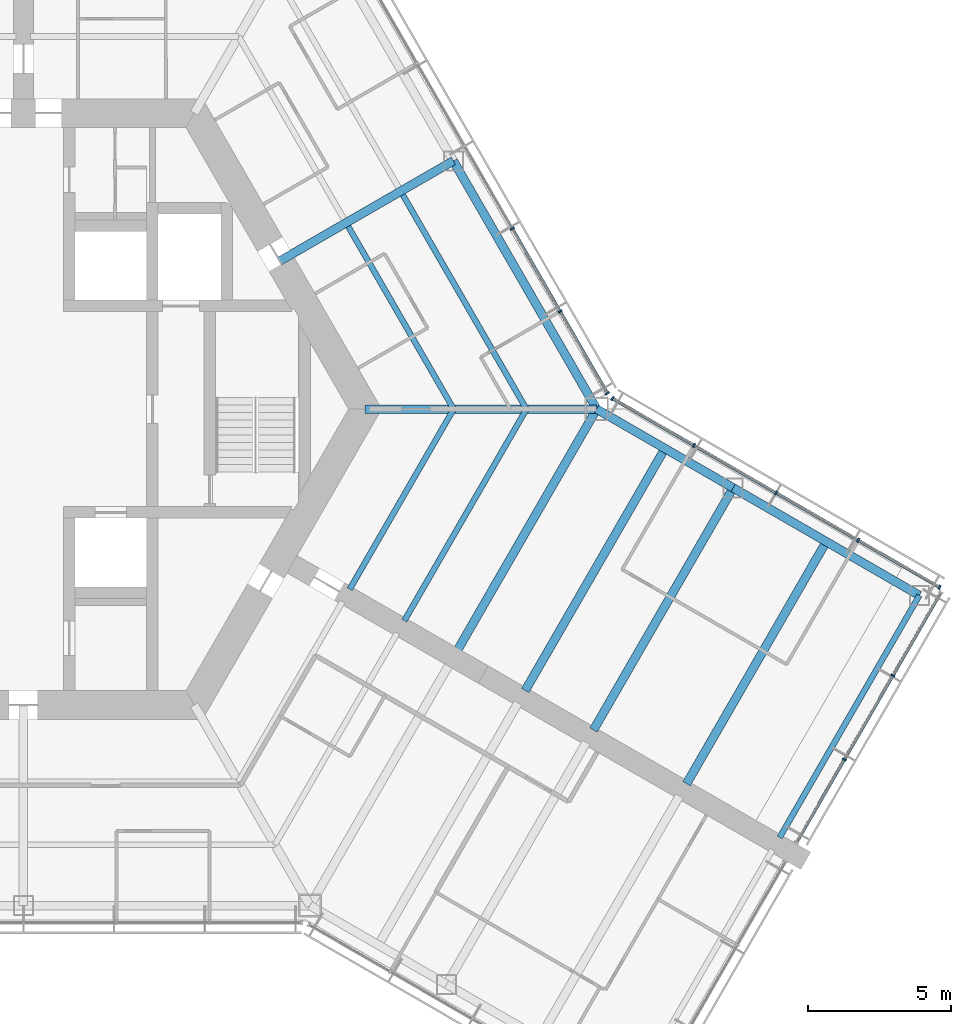
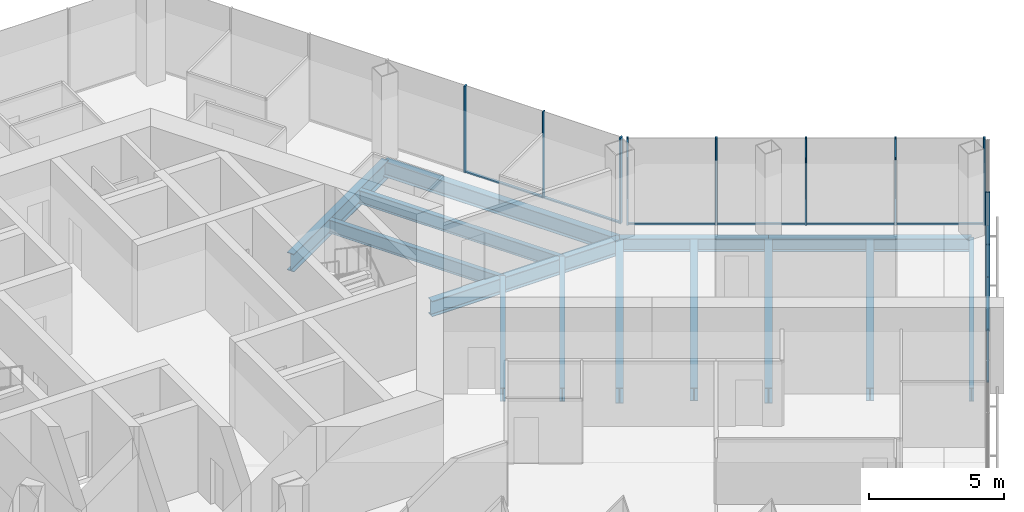
# One storey, part 6 of 19: 19 members, 14 beams, 3 elements without a shape of their own.
"""IFC4 building model written with IfcOpenShell, lengths in metres."""

from ifc_helpers import new_model, si_unit, direction, frame, origin, origin_2d, place, context, subcontext, project, spatial, rectangle, i_section, extrude, material, material_profile, profile_set, type_object, element, aggregate, save


model = new_model("IFC4")

# Units and contexts
model_context = context("Model", 3, precision=1e-05, world=origin(), true_north=direction((0.0, 1.0)))
body_context = subcontext(model_context, "Body", "Model", "MODEL_VIEW")
ifc_project = project(units=[si_unit("LENGTHUNIT", "METRE"), si_unit("AREAUNIT", "SQUARE_METRE"), si_unit("VOLUMEUNIT", "CUBIC_METRE"), si_unit("PLANEANGLEUNIT", "RADIAN"), si_unit("MASSUNIT", "GRAM", prefix="KILO")], contexts=[model_context])

# Site, building, storey
site_placement = place(None, origin())
site = spatial("IfcSite", under=ifc_project, at=site_placement, CompositionType="ELEMENT")
building_placement = place(site_placement, origin())
building = spatial("IfcBuilding", under=site, at=building_placement, Name="Kasaneha Research Tower", CompositionType="ELEMENT")
storey_placement = place(building_placement, frame((0.0, 0.0, 156.5)))
storey = spatial("IfcBuildingStorey", under=building, at=storey_placement, Name="L39", CompositionType="ELEMENT", Elevation=156.5)

# Beams
ifc_material_1 = material(Name="Steel SN490B", Category="steel")
ifc_material_profile_1 = material_profile(ifc_material_1, i_section(OverallWidth=0.199951171875, OverallDepth=0.60009765625, WebThickness=0.010986328125, FlangeThickness=0.01708984375, FilletRadius=0.012939453125, at=origin_2d()), Name="H-600x200x11x17")
ifc_profile_set_1 = profile_set([ifc_material_profile_1], Name="Steel SN490B")
beam_type_1 = type_object("IfcBeamType", Name="B1-3 secondary beam H-600x200x11x17", PredefinedType="JOIST", material=ifc_profile_set_1)
beam_1_placement = place(storey_placement, frame((15.010986328125, 0.0, -0.449951171875), z_axis=(-0.499994443168, 0.866028611999, 0.0), x_axis=(-0.866028611999, -0.499994443168, 0.0)))
element("IfcBeam", 1, at=beam_1_placement, inside=storey, type_object=beam_type_1, Name="Secondary beam RS030L1 L39", PredefinedType="JOIST", context=body_context, shape_type="SweptSolid", body=[
    extrude(i_section(OverallWidth=0.199951171875, OverallDepth=0.60009765625, WebThickness=0.010986328125, FlangeThickness=0.01708984375, FilletRadius=0.012939453125, at=origin_2d()), origin(), (0.0, 0.0, 1.0), 7.35546875),
])
beam_2_placement = place(storey_placement, frame((17.551513671875, 0.0, -0.449951171875), z_axis=(-0.5000050195, 0.866022505755, 0.0), x_axis=(-0.866022505755, -0.5000050195, 0.0)))
element("IfcBeam", 2, at=beam_2_placement, inside=storey, type_object=beam_type_1, Name="Secondary beam RS030L2 L39", PredefinedType="JOIST", context=body_context, shape_type="SweptSolid", body=[
    extrude(i_section(OverallWidth=0.199951171875, OverallDepth=0.60009765625, WebThickness=0.010986328125, FlangeThickness=0.01708984375, FilletRadius=0.012939453125, at=origin_2d()), origin(), (0.0, 0.0, 1.0), 8.6259765625),
])
beam_3_placement = place(storey_placement, frame((15.010986328125, 0.0, -0.449951171875), z_axis=(-0.499993340521, -0.866029248602, 0.0), x_axis=(0.866029248602, -0.499993340521, 0.0)))
element("IfcBeam", 3, at=beam_3_placement, inside=storey, type_object=beam_type_1, Name="Secondary beam RS330R1 L39", PredefinedType="JOIST", context=body_context, shape_type="SweptSolid", body=[
    extrude(i_section(OverallWidth=0.199951171875, OverallDepth=0.60009765625, WebThickness=0.010986328125, FlangeThickness=0.01708984375, FilletRadius=0.012939453125, at=origin_2d()), origin(), (0.0, 0.0, 1.0), 7.25537109375),
])
beam_4_placement = place(storey_placement, frame((17.551513671875, 0.0, -0.449951171875), z_axis=(-0.500004205306, -0.866022975836, 0.0), x_axis=(0.866022975836, -0.500004205306, 0.0)))
element("IfcBeam", 4, at=beam_4_placement, inside=storey, type_object=beam_type_1, Name="Secondary beam RS330R2 L39", PredefinedType="JOIST", context=body_context, shape_type="SweptSolid", body=[
    extrude(i_section(OverallWidth=0.199951171875, OverallDepth=0.60009765625, WebThickness=0.010986328125, FlangeThickness=0.01708984375, FilletRadius=0.012939453125, at=origin_2d()), origin(), (0.0, 0.0, 1.0), 8.52587890625),
])
ifc_material_2 = material(Name="Steel SN490B", Category="steel")
ifc_material_profile_2 = material_profile(ifc_material_2, i_section(OverallWidth=0.300048828125, OverallDepth=0.58203125, WebThickness=0.011962890625, FlangeThickness=0.01708984375, FilletRadius=0.012939453125, at=origin_2d()), Name="H-582x300x12x17")
ifc_profile_set_2 = profile_set([ifc_material_profile_2], Name="Steel SN490B")
beam_type_2 = type_object("IfcBeamType", Name="B2-3 secondary beam H-582x300x12x17", PredefinedType="JOIST", material=ifc_profile_set_2)
for number, where, z_axis, x_axis, name in (
    (5, (22.381591796875, -1.375, -0.44091796875), (-0.499995560238, -0.866027967067, 0.0), (0.866027967067, -0.499995560238, 0.0), "Secondary beam WBCN1 L39"),
    (6, (28.0107421875, -4.625, -0.44091796875), (-0.499995560238, -0.866027967067, 0.0), (0.866027967067, -0.499995560238, 0.0), "Secondary beam WBCN2 L39"),
):
    element("IfcBeam", number, at=place(storey_placement, frame(where, z_axis=z_axis, x_axis=x_axis)), inside=storey, type_object=beam_type_2, Name=name, PredefinedType="JOIST", context=body_context, shape_type="SweptSolid", body=[
        extrude(i_section(OverallWidth=0.300048828125, OverallDepth=0.58203125, WebThickness=0.011962890625, FlangeThickness=0.01708984375, FilletRadius=0.012939453125, at=origin_2d()), origin(), (0.0, 0.0, 1.0), 9.75),
    ])

# Curtain wall, members
ifc_material_3 = material(Name="Glass and aluminium", Category="aluminium")
curtain_wall_type = type_object("IfcCurtainWallType", Name="Mid-rise office curtain wall", PredefinedType="USERDEFINED", material=ifc_material_3)
curtain_wall_1_placement = place(storey_placement, origin())
curtain_wall_1 = element("IfcCurtainWall", 7, at=curtain_wall_1_placement, inside=storey, type_object=curtain_wall_type, Name="CW-O2 L39 run 04a", ObjectType="UNITISED CURTAIN WALL", PredefinedType="USERDEFINED")
ifc_material_4 = material(Name="Aluminium 6063-T6", Category="aluminium")
ifc_material_profile_3 = material_profile(ifc_material_4, rectangle(XDim=0.06005859375, YDim=0.14990234375, at=origin_2d()), Name="CW-O2 mullion 60x150")
ifc_profile_set_3 = profile_set([ifc_material_profile_3], Name="Aluminium 6063-T6")
member_type_1 = type_object("IfcMemberType", Name="CW-O2 mullion", PredefinedType="MULLION", material=ifc_profile_set_3)
member_1_placement = place(storey_placement, frame((28.64453125, -12.22705078125, 0.0), z_axis=(0.0, 0.0, 1.0), x_axis=(0.500000011442, 0.866025397178, 0.0)))
member_1 = element("IfcMember", 8, at=member_1_placement, type_object=member_type_1, Name="CW-O2 mullion 2", PredefinedType="MULLION", context=body_context, shape_type="SweptSolid", body=[
    extrude(rectangle(XDim=0.06005859375, YDim=0.14990234375, at=origin_2d()), origin(), (0.0, 0.0, 1.0), 3.89990234375),
])
member_2_placement = place(storey_placement, frame((30.336181640625, -9.297119140625, 0.0), z_axis=(0.0, 0.0, 1.0), x_axis=(0.500000011442, 0.866025397178, 0.0)))
member_2 = element("IfcMember", 9, at=member_2_placement, type_object=member_type_1, Name="CW-O2 mullion 3", PredefinedType="MULLION", context=body_context, shape_type="SweptSolid", body=[
    extrude(rectangle(XDim=0.06005859375, YDim=0.14990234375, at=origin_2d()), origin(), (0.0, 0.0, 1.0), 3.89990234375),
])

curtain_wall_2_placement = place(storey_placement, origin())
curtain_wall_2 = element("IfcCurtainWall", 10, at=curtain_wall_2_placement, inside=storey, type_object=curtain_wall_type, Name="CW-O2 L39 run 05a", ObjectType="UNITISED CURTAIN WALL", PredefinedType="USERDEFINED")
member_3_placement = place(storey_placement, frame((31.96533203125, -6.21533203125, 0.0), z_axis=(0.0, 0.0, 1.0), x_axis=(-0.866025411464, 0.499999986699, 0.0)))
member_3 = element("IfcMember", 11, at=member_3_placement, type_object=member_type_1, Name="CW-O2 mullion 1", PredefinedType="MULLION", context=body_context, shape_type="SweptSolid", body=[
    extrude(rectangle(XDim=0.06005859375, YDim=0.14990234375, at=origin_2d()), origin(), (0.0, 0.0, 1.0), 3.89990234375),
])
member_4_placement = place(storey_placement, frame((29.125, -4.575439453125, 0.0), z_axis=(0.0, 0.0, 1.0), x_axis=(-0.866025411464, 0.499999986699, 0.0)))
member_4 = element("IfcMember", 12, at=member_4_placement, type_object=member_type_1, Name="CW-O2 mullion 2", PredefinedType="MULLION", context=body_context, shape_type="SweptSolid", body=[
    extrude(rectangle(XDim=0.06005859375, YDim=0.14990234375, at=origin_2d()), origin(), (0.0, 0.0, 1.0), 3.89990234375),
])
member_5_placement = place(storey_placement, frame((26.258544921875, -2.920654296875, 0.0), z_axis=(0.0, 0.0, 1.0), x_axis=(-0.866025411464, 0.499999986699, 0.0)))
member_5 = element("IfcMember", 13, at=member_5_placement, type_object=member_type_1, Name="CW-O2 mullion 3", PredefinedType="MULLION", context=body_context, shape_type="SweptSolid", body=[
    extrude(rectangle(XDim=0.06005859375, YDim=0.14990234375, at=origin_2d()), origin(), (0.0, 0.0, 1.0), 3.89990234375),
])
member_6_placement = place(storey_placement, frame((23.39208984375, -1.265625, 0.0), z_axis=(0.0, 0.0, 1.0), x_axis=(-0.866025411464, 0.499999986699, 0.0)))
member_6 = element("IfcMember", 14, at=member_6_placement, type_object=member_type_1, Name="CW-O2 mullion 4", PredefinedType="MULLION", context=body_context, shape_type="SweptSolid", body=[
    extrude(rectangle(XDim=0.06005859375, YDim=0.14990234375, at=origin_2d()), origin(), (0.0, 0.0, 1.0), 3.89990234375),
])
member_7_placement = place(storey_placement, frame((20.5517578125, 0.374267578125, 0.0), z_axis=(0.0, 0.0, 1.0), x_axis=(-0.866025411464, 0.499999986699, 0.0)))
member_7 = element("IfcMember", 15, at=member_7_placement, type_object=member_type_1, Name="CW-O2 mullion 5", PredefinedType="MULLION", context=body_context, shape_type="SweptSolid", body=[
    extrude(rectangle(XDim=0.06005859375, YDim=0.14990234375, at=origin_2d()), origin(), (0.0, 0.0, 1.0), 3.89990234375),
])

curtain_wall_3_placement = place(storey_placement, origin())
curtain_wall_3 = element("IfcCurtainWall", 16, at=curtain_wall_3_placement, inside=storey, type_object=curtain_wall_type, Name="CW-O2 L39 run 06a", ObjectType="UNITISED CURTAIN WALL", PredefinedType="USERDEFINED")
member_8_placement = place(storey_placement, frame((20.374267578125, 0.5517578125, 0.0), z_axis=(0.0, 0.0, 1.0), x_axis=(-0.499999979232, 0.866025415775, 0.0)))
member_8 = element("IfcMember", 17, at=member_8_placement, type_object=member_type_1, Name="CW-O2 mullion 1", PredefinedType="MULLION", context=body_context, shape_type="SweptSolid", body=[
    extrude(rectangle(XDim=0.06005859375, YDim=0.14990234375, at=origin_2d()), origin(), (0.0, 0.0, 1.0), 3.89990234375),
])
member_9_placement = place(storey_placement, frame((18.723876953125, 3.410400390625, 0.0), z_axis=(0.0, 0.0, 1.0), x_axis=(-0.499999979232, 0.866025415775, 0.0)))
member_9 = element("IfcMember", 18, at=member_9_placement, type_object=member_type_1, Name="CW-O2 mullion 2", PredefinedType="MULLION", context=body_context, shape_type="SweptSolid", body=[
    extrude(rectangle(XDim=0.06005859375, YDim=0.14990234375, at=origin_2d()), origin(), (0.0, 0.0, 1.0), 3.89990234375),
])
member_10_placement = place(storey_placement, frame((17.058349609375, 6.295166015625, 0.0), z_axis=(0.0, 0.0, 1.0), x_axis=(-0.499999979232, 0.866025415775, 0.0)))
member_10 = element("IfcMember", 19, at=member_10_placement, type_object=member_type_1, Name="CW-O2 mullion 3", PredefinedType="MULLION", context=body_context, shape_type="SweptSolid", body=[
    extrude(rectangle(XDim=0.06005859375, YDim=0.14990234375, at=origin_2d()), origin(), (0.0, 0.0, 1.0), 3.89990234375),
])

# Member
ifc_material_5 = material(Name="Aluminium 6063-T6", Category="aluminium")
ifc_material_profile_4 = material_profile(ifc_material_5, rectangle(XDim=0.110107421875, YDim=0.06005859375, at=origin_2d()), Name="CW-O2 transom 110x60")
ifc_profile_set_4 = profile_set([ifc_material_profile_4], Name="Aluminium 6063-T6")
member_type_2 = type_object("IfcMemberType", Name="CW-O2 transom", PredefinedType="USERDEFINED", material=ifc_profile_set_4)
member_11_placement = place(storey_placement, frame((26.98291015625, -15.105224609375, 0.030029296875), z_axis=(0.500021914551, 0.866012751043, 0.0), x_axis=(-0.866012751043, 0.500021914551, 0.0)))
member_11 = element("IfcMember", 20, at=member_11_placement, type_object=member_type_2, Name="CW-O2 transom 1", ObjectType="TRANSOM", PredefinedType="USERDEFINED", context=body_context, shape_type="SweptSolid", body=[
    extrude(rectangle(XDim=0.110107421875, YDim=0.06005859375, at=origin_2d()), origin(), (0.0, 0.0, 1.0), 3.293212890625),
])

member_12_placement = place(storey_placement, frame((28.65966796875, -12.201171875, 0.030029296875), z_axis=(0.499978935311, 0.866037565146, 0.0), x_axis=(-0.866037565146, 0.499978935311, 0.0)))
member_12 = element("IfcMember", 21, at=member_12_placement, type_object=member_type_2, Name="CW-O2 transom 2", ObjectType="TRANSOM", PredefinedType="USERDEFINED", context=body_context, shape_type="SweptSolid", body=[
    extrude(rectangle(XDim=0.110107421875, YDim=0.06005859375, at=origin_2d()), origin(), (0.0, 0.0, 1.0), 3.323486328125),
])

member_13_placement = place(storey_placement, frame((30.351318359375, -9.27099609375, 0.030029296875), z_axis=(0.500021914551, 0.866012751043, 0.0), x_axis=(-0.866012751043, 0.500021914551, 0.0)))
member_13 = element("IfcMember", 22, at=member_13_placement, type_object=member_type_2, Name="CW-O2 transom 3", ObjectType="TRANSOM", PredefinedType="USERDEFINED", context=body_context, shape_type="SweptSolid", body=[
    extrude(rectangle(XDim=0.110107421875, YDim=0.06005859375, at=origin_2d()), origin(), (0.0, 0.0, 1.0), 3.293212890625),
])

aggregate(curtain_wall_1, [member_1, member_2, member_11, member_12, member_13])

member_14_placement = place(storey_placement, frame((31.939453125, -6.200439453125, 0.030029296875), z_axis=(-0.866041647767, 0.499971863542, 0.0), x_axis=(-0.499971863542, -0.866041647767, 0.0)))
member_14 = element("IfcMember", 23, at=member_14_placement, type_object=member_type_2, Name="CW-O2 transom 1", ObjectType="TRANSOM", PredefinedType="USERDEFINED", context=body_context, shape_type="SweptSolid", body=[
    extrude(rectangle(XDim=0.110107421875, YDim=0.06005859375, at=origin_2d()), origin(), (0.0, 0.0, 1.0), 3.219970703125),
])

member_15_placement = place(storey_placement, frame((29.098876953125, -4.560546875, 0.030029296875), z_axis=(-0.86599666273, 0.500049777664, 0.0), x_axis=(-0.500049777664, -0.86599666273, 0.0)))
member_15 = element("IfcMember", 24, at=member_15_placement, type_object=member_type_2, Name="CW-O2 transom 2", ObjectType="TRANSOM", PredefinedType="USERDEFINED", context=body_context, shape_type="SweptSolid", body=[
    extrude(rectangle(XDim=0.110107421875, YDim=0.06005859375, at=origin_2d()), origin(), (0.0, 0.0, 1.0), 3.249755859375),
])

member_16_placement = place(storey_placement, frame((26.232666015625, -2.905517578125, 0.030029296875), z_axis=(-0.86604797581, 0.499960902066, 0.0), x_axis=(-0.499960902066, -0.86604797581, 0.0)))
member_16 = element("IfcMember", 25, at=member_16_placement, type_object=member_type_2, Name="CW-O2 transom 3", ObjectType="TRANSOM", PredefinedType="USERDEFINED", context=body_context, shape_type="SweptSolid", body=[
    extrude(rectangle(XDim=0.110107421875, YDim=0.06005859375, at=origin_2d()), origin(), (0.0, 0.0, 1.0), 3.249755859375),
])

member_17_placement = place(storey_placement, frame((23.3662109375, -1.250732421875, 0.030029296875), z_axis=(-0.866022692473, 0.500004696101, 0.0), x_axis=(-0.500004696101, -0.866022692473, 0.0)))
member_17 = element("IfcMember", 26, at=member_17_placement, type_object=member_type_2, Name="CW-O2 transom 4", ObjectType="TRANSOM", PredefinedType="USERDEFINED", context=body_context, shape_type="SweptSolid", body=[
    extrude(rectangle(XDim=0.110107421875, YDim=0.06005859375, at=origin_2d()), origin(), (0.0, 0.0, 1.0), 3.2197265625),
])

aggregate(curtain_wall_2, [member_3, member_4, member_5, member_6, member_7, member_14, member_15, member_16, member_17])

member_18_placement = place(storey_placement, frame((20.359130859375, 0.577880859375, 0.030029296875), z_axis=(-0.499987643696, 0.866032537582, 0.0), x_axis=(-0.866032537582, -0.499987643696, 0.0)))
member_18 = element("IfcMember", 27, at=member_18_placement, type_object=member_type_2, Name="CW-O2 transom 1", ObjectType="TRANSOM", PredefinedType="USERDEFINED", context=body_context, shape_type="SweptSolid", body=[
    extrude(rectangle(XDim=0.110107421875, YDim=0.06005859375, at=origin_2d()), origin(), (0.0, 0.0, 1.0), 3.24072265625),
])

member_19_placement = place(storey_placement, frame((18.708740234375, 3.4365234375, 0.030029296875), z_axis=(-0.500000270186, 0.866025247793, 0.0), x_axis=(-0.866025247793, -0.500000270186, 0.0)))
member_19 = element("IfcMember", 28, at=member_19_placement, type_object=member_type_2, Name="CW-O2 transom 2", ObjectType="TRANSOM", PredefinedType="USERDEFINED", context=body_context, shape_type="SweptSolid", body=[
    extrude(rectangle(XDim=0.110107421875, YDim=0.06005859375, at=origin_2d()), origin(), (0.0, 0.0, 1.0), 3.27099609375),
])

aggregate(curtain_wall_3, [member_8, member_9, member_10, member_18, member_19])

# Beams
ifc_material_6 = material(Name="Steel SN490B", Category="steel")
ifc_material_profile_5 = material_profile(ifc_material_6, i_section(OverallWidth=0.300048828125, OverallDepth=0.699951171875, WebThickness=0.012939453125, FlangeThickness=0.02392578125, FilletRadius=0.01806640625, at=origin_2d()), Name="H-700x300x13x24")
ifc_profile_set_5 = profile_set([ifc_material_profile_5], Name="Steel SN490B")
beam_type_3 = type_object("IfcBeamType", Name="G1-3 radial girder H-700x300x13x24", PredefinedType="BEAM", material=ifc_profile_set_5)
beam_5_placement = place(storey_placement, frame((11.92236328125, 0.0, -0.5), z_axis=(1.0, 0.0, 0.0), x_axis=(0.0, 1.0, 0.0)))
element("IfcBeam", 29, at=beam_5_placement, inside=storey, type_object=beam_type_3, Name="Radial girder RV000 L39", PredefinedType="BEAM", context=body_context, shape_type="SweptSolid", body=[
    extrude(i_section(OverallWidth=0.300048828125, OverallDepth=0.699951171875, WebThickness=0.012939453125, FlangeThickness=0.02392578125, FilletRadius=0.01806640625, at=origin_2d()), origin(), (0.0, 0.0, 1.0), 8.07763671875),
])
ifc_material_7 = material(Name="Steel SN490B", Category="steel")
ifc_material_profile_6 = material_profile(ifc_material_7, i_section(OverallWidth=0.300048828125, OverallDepth=0.800048828125, WebThickness=0.013916015625, FlangeThickness=0.02587890625, FilletRadius=0.01806640625, at=origin_2d()), Name="H-800x300x14x26")
ifc_profile_set_6 = profile_set([ifc_material_profile_6], Name="Steel SN490B")
beam_type_4 = type_object("IfcBeamType", Name="G2-3 radial girder H-800x300x14x26", PredefinedType="BEAM", material=ifc_profile_set_6)
beam_6_placement = place(storey_placement, frame((8.941650390625, 5.16259765625, -0.550048828125), z_axis=(0.866039713508, 0.499975214012, 0.0), x_axis=(-0.499975214012, 0.866039713508, 0.0)))
element("IfcBeam", 30, at=beam_6_placement, inside=storey, type_object=beam_type_4, Name="Radial girder RM030 L39", PredefinedType="BEAM", context=body_context, shape_type="SweptSolid", body=[
    extrude(i_section(OverallWidth=0.300048828125, OverallDepth=0.800048828125, WebThickness=0.013916015625, FlangeThickness=0.02587890625, FilletRadius=0.01806640625, at=origin_2d()), origin(), (0.0, 0.0, 1.0), 6.995361328125),
])
ifc_material_8 = material(Name="Steel SN490B", Category="steel")
ifc_material_profile_7 = material_profile(ifc_material_8, i_section(OverallWidth=0.300048828125, OverallDepth=0.69189453125, WebThickness=0.012939453125, FlangeThickness=0.02001953125, FilletRadius=0.01806640625, at=origin_2d()), Name="H-692x300x13x20")
ifc_profile_set_7 = profile_set([ifc_material_profile_7], Name="Steel SN490B")
beam_type_5 = type_object("IfcBeamType", Name="G3-3 plate edge girder H-692x300x13x20", PredefinedType="BEAM", material=ifc_profile_set_7)
beam_7_placement = place(storey_placement, frame((20.0, 0.0, -0.49609375), z_axis=(-0.499995560238, -0.866027967067, 0.0), x_axis=(0.866027967067, -0.499995560238, 0.0)))
element("IfcBeam", 31, at=beam_7_placement, inside=storey, type_object=beam_type_5, Name="Plate edge girder PECN L39", PredefinedType="BEAM", context=body_context, shape_type="SweptSolid", body=[
    extrude(i_section(OverallWidth=0.300048828125, OverallDepth=0.69189453125, WebThickness=0.012939453125, FlangeThickness=0.02001953125, FilletRadius=0.01806640625, at=origin_2d()), origin(), (0.0, 0.0, 1.0), 9.75),
])
ifc_material_9 = material(Name="Steel SN490B", Category="steel")
ifc_material_profile_8 = material_profile(ifc_material_9, i_section(OverallWidth=0.300048828125, OverallDepth=0.699951171875, WebThickness=0.012939453125, FlangeThickness=0.02392578125, FilletRadius=0.01806640625, at=origin_2d()), Name="H-700x300x13x24")
ifc_profile_set_8 = profile_set([ifc_material_profile_8], Name="Steel SN490B")
beam_type_6 = type_object("IfcBeamType", Name="G4-3 wing girder H-700x300x13x24", PredefinedType="BEAM", material=ifc_profile_set_8)
beam_8_placement = place(storey_placement, frame((24.76318359375, -2.75, -0.5), z_axis=(-0.499995560238, -0.866027967067, 0.0), x_axis=(0.866027967067, -0.499995560238, 0.0)))
element("IfcBeam", 32, at=beam_8_placement, inside=storey, type_object=beam_type_6, Name="Wing girder WGCN L39", PredefinedType="BEAM", context=body_context, shape_type="SweptSolid", body=[
    extrude(i_section(OverallWidth=0.300048828125, OverallDepth=0.699951171875, WebThickness=0.012939453125, FlangeThickness=0.02392578125, FilletRadius=0.01806640625, at=origin_2d()), origin(), (0.0, 0.0, 1.0), 9.75),
])
ifc_material_10 = material(Name="Steel SN490B", Category="steel")
ifc_material_profile_9 = material_profile(ifc_material_10, i_section(OverallWidth=0.300048828125, OverallDepth=0.69189453125, WebThickness=0.012939453125, FlangeThickness=0.02001953125, FilletRadius=0.01806640625, at=origin_2d()), Name="H-692x300x13x20")
ifc_profile_set_9 = profile_set([ifc_material_profile_9], Name="Steel SN490B")
beam_type_7 = type_object("IfcBeamType", Name="SB1-3 spandrel beam H-692x300x13x20", PredefinedType="SPANDREL", material=ifc_profile_set_9)
beam_9_placement = place(storey_placement, frame((20.0, 0.0, -0.49609375), z_axis=(-0.500004234368, 0.866022959057, 0.0), x_axis=(-0.866022959057, -0.500004234368, 0.0)))
element("IfcBeam", 33, at=beam_9_placement, inside=storey, type_object=beam_type_7, Name="Spandrel beam SR030L L39", PredefinedType="SPANDREL", context=body_context, shape_type="SweptSolid", body=[
    extrude(i_section(OverallWidth=0.300048828125, OverallDepth=0.69189453125, WebThickness=0.012939453125, FlangeThickness=0.02001953125, FilletRadius=0.01806640625, at=origin_2d()), origin(), (0.0, 0.0, 1.0), 10.0),
])
ifc_material_11 = material(Name="Steel SN490B", Category="steel")
ifc_material_profile_10 = material_profile(ifc_material_11, i_section(OverallWidth=0.300048828125, OverallDepth=0.58203125, WebThickness=0.011962890625, FlangeThickness=0.01708984375, FilletRadius=0.012939453125, at=origin_2d()), Name="H-582x300x12x17")
ifc_profile_set_10 = profile_set([ifc_material_profile_10], Name="Steel SN490B")
beam_type_8 = type_object("IfcBeamType", Name="SB2-3 spandrel beam H-582x300x12x17", PredefinedType="SPANDREL", material=ifc_profile_set_10)
beam_10_placement = place(storey_placement, frame((20.0, 0.0, -0.44091796875), z_axis=(0.866027397988, -0.499996545922, 0.0), x_axis=(0.499996545922, 0.866027397988, 0.0)))
element("IfcBeam", 34, at=beam_10_placement, inside=storey, type_object=beam_type_8, Name="Spandrel beam WSCN1 L39", PredefinedType="SPANDREL", context=body_context, shape_type="SweptSolid", body=[
    extrude(i_section(OverallWidth=0.300048828125, OverallDepth=0.58203125, WebThickness=0.011962890625, FlangeThickness=0.01708984375, FilletRadius=0.012939453125, at=origin_2d()), origin(), (0.0, 0.0, 1.0), 5.5),
])
beam_11_placement = place(storey_placement, frame((24.76318359375, -2.75, -0.44091796875), z_axis=(0.866022959057, -0.500004234368, 0.0), x_axis=(0.500004234368, 0.866022959057, 0.0)))
element("IfcBeam", 35, at=beam_11_placement, inside=storey, type_object=beam_type_8, Name="Spandrel beam WSCN2 L39", PredefinedType="SPANDREL", context=body_context, shape_type="SweptSolid", body=[
    extrude(i_section(OverallWidth=0.300048828125, OverallDepth=0.58203125, WebThickness=0.011962890625, FlangeThickness=0.01708984375, FilletRadius=0.012939453125, at=origin_2d()), origin(), (0.0, 0.0, 1.0), 7.5),
])
ifc_material_12 = material(Name="Steel SN490B", Category="steel")
ifc_material_profile_11 = material_profile(ifc_material_12, i_section(OverallWidth=0.199951171875, OverallDepth=0.60009765625, WebThickness=0.010986328125, FlangeThickness=0.01708984375, FilletRadius=0.012939453125, at=origin_2d()), Name="H-600x200x11x17")
ifc_profile_set_11 = profile_set([ifc_material_profile_11], Name="Steel SN490B")
beam_type_9 = type_object("IfcBeamType", Name="SB3-3 spandrel beam H-600x200x11x17", PredefinedType="SPANDREL", material=ifc_profile_set_11)
beam_12_placement = place(storey_placement, frame((31.25830078125, -6.5, -0.449951171875), z_axis=(-0.499995560238, -0.866027967067, 0.0), x_axis=(0.866027967067, -0.499995560238, 0.0)))
element("IfcBeam", 36, at=beam_12_placement, inside=storey, type_object=beam_type_9, Name="Spandrel beam WTCN L39", PredefinedType="SPANDREL", context=body_context, shape_type="SweptSolid", body=[
    extrude(i_section(OverallWidth=0.199951171875, OverallDepth=0.60009765625, WebThickness=0.010986328125, FlangeThickness=0.01708984375, FilletRadius=0.012939453125, at=origin_2d()), origin(), (0.0, 0.0, 1.0), 9.75),
])

save(model, "model.ifc")
